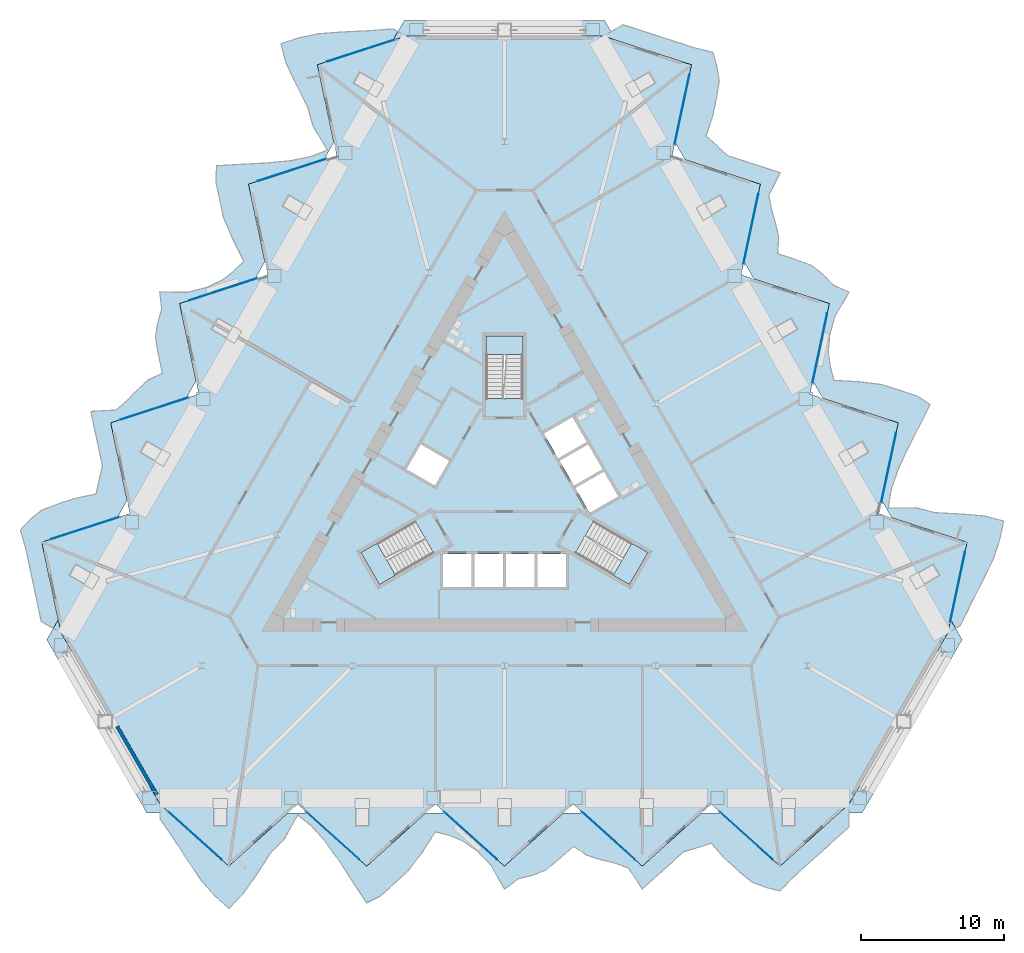
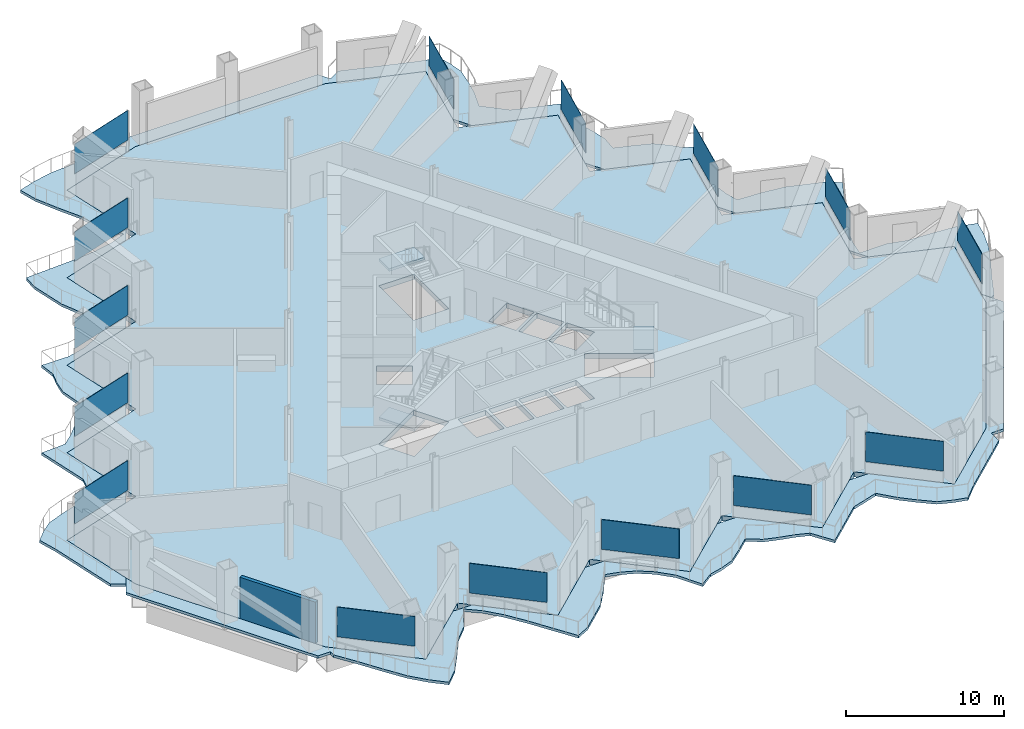
# One storey, part 8 of 22: 15 plates, 7 slabs, 1 wall, 18 elements without a shape of their own.
"""IFC4 building model written with IfcOpenShell, lengths in metres."""

from ifc_helpers import new_model, si_unit, direction, frame, frame_2d, origin, origin_2d, place, context, subcontext, project, spatial, polyline, rectangle, outline, extrude, material, layer, layer_set, type_object, element, aggregate, save


model = new_model("IFC4")

# Units and contexts
model_context = context("Model", 3, precision=1e-05, world=origin(), true_north=direction((0.0, 1.0)))
body_context = subcontext(model_context, "Body", "Model", "MODEL_VIEW")
ifc_project = project(units=[si_unit("LENGTHUNIT", "METRE"), si_unit("AREAUNIT", "SQUARE_METRE"), si_unit("VOLUMEUNIT", "CUBIC_METRE"), si_unit("PLANEANGLEUNIT", "RADIAN"), si_unit("MASSUNIT", "GRAM", prefix="KILO")], contexts=[model_context])

# Site, building, storey
site_placement = place(None, origin())
site = spatial("IfcSite", under=ifc_project, at=site_placement, CompositionType="ELEMENT")
building_placement = place(site_placement, origin())
building = spatial("IfcBuilding", under=site, at=building_placement, Name="Cormorant Prow Tower", CompositionType="ELEMENT")
storey_placement = place(building_placement, frame((0.0, 0.0, 30.0)))
storey = spatial("IfcBuildingStorey", under=building, at=storey_placement, Name="L05", CompositionType="ELEMENT", Elevation=30.0)

# Slabs
ifc_material_1 = material(Name="Concrete C40/50", Category="concrete")
ifc_layer_1 = layer(ifc_material_1, 0.199951171875)
ifc_layer_set_1 = layer_set([ifc_layer_1], Name="Concrete C40/50")
slab_type_1 = type_object("IfcSlabType", Name="Balcony slab 200", PredefinedType="FLOOR", material=ifc_layer_set_1)
slab_1_placement = place(storey_placement, frame((0.0, 0.0, -0.199951171875)))
element("IfcSlab", 1, at=slab_1_placement, inside=storey, type_object=slab_type_1, Name="Balcony slab S L05", PredefinedType="FLOOR", context=body_context, shape_type="SweptSolid", body=[
    extrude(outline(polyline([(-18.306640625, -25.35888671875), (-19.270263671875, -26.226318359375), (-21.197265625, -24.4912109375), (-21.678955078125, -24.0576171875), (-23.390380859375, -22.5166015625), (-24.087890625, -21.888671875), (-27.5439453125, -15.902587890625), (-31.0, -9.916259765625), (-31.195068359375, -8.998291015625), (-32.0, -10.392333984375), (-28.5, -16.45458984375), (-25.0, -22.5166015625), (-24.087890625, -22.5166015625), (-24.087890625, -22.90478515625), (-23.124267578125, -24.315185546875), (-22.16064453125, -25.812255859375), (-21.197265625, -27.236083984375), (-20.233642578125, -28.308837890625), (-19.270263671875, -29.17626953125), (-18.306640625, -28.2158203125), (-17.34326171875, -26.835205078125), (-16.379638671875, -25.341552734375), (-15.416259765625, -24.356201171875), (-14.45263671875, -22.640380859375), (-13.4892578125, -23.412841796875), (-12.525634765625, -24.50048828125), (-11.56201171875, -25.847900390625), (-10.5986328125, -27.3330078125), (-9.635009765625, -28.799560546875), (-8.671630859375, -28.308837890625), (-7.7080078125, -27.441162109375), (-6.74462890625, -26.57373046875), (-5.781005859375, -25.294921875), (-4.817626953125, -23.82275390625), (-3.85400390625, -24.076904296875), (-2.890625, -24.47802734375), (-1.927001953125, -25.144287109375), (-0.963623046875, -26.127197265625), (0.0, -27.826416015625), (0.963623046875, -27.11669921875), (1.927001953125, -26.87255859375), (2.890625, -26.50634765625), (3.85400390625, -25.706298828125), (4.817626953125, -24.838623046875), (5.781005859375, -25.470703125), (6.74462890625, -25.77294921875), (7.7080078125, -26.01171875), (8.671630859375, -26.346923828125), (9.635009765625, -27.826416015625), (10.5986328125, -26.958740234375), (12.525634765625, -25.2236328125), (13.4892578125, -24.93115234375), (14.45263671875, -24.623046875), (15.416259765625, -25.706298828125), (16.379638671875, -26.57373046875), (17.34326171875, -27.357177734375), (18.306640625, -27.715576171875), (19.270263671875, -27.9580078125), (20.233642578125, -26.958740234375), (21.197265625, -26.09130859375), (22.16064453125, -25.2236328125), (24.087890625, -23.488525390625), (24.087890625, -22.5166015625), (25.0, -22.5166015625), (28.5, -16.45458984375), (32.0, -10.392333984375), (31.195068359375, -8.998291015625), (31.0, -9.916259765625), (27.5439453125, -15.902587890625), (24.087890625, -21.888671875), (23.390380859375, -22.5166015625), (21.678955078125, -24.0576171875), (21.197265625, -24.4912109375), (19.270263671875, -26.226318359375), (18.306640625, -25.35888671875), (17.34326171875, -24.4912109375), (16.861328125, -24.0576171875), (15.150146484375, -22.5166015625), (13.755126953125, -22.5166015625), (9.635009765625, -26.226318359375), (7.7080078125, -24.4912109375), (7.226318359375, -24.0576171875), (5.51513671875, -22.5166015625), (4.1201171875, -22.5166015625), (2.40869140625, -24.0576171875), (1.927001953125, -24.4912109375), (0.0, -26.226318359375), (-1.927001953125, -24.4912109375), (-2.40869140625, -24.0576171875), (-4.1201171875, -22.5166015625), (-5.51513671875, -22.5166015625), (-7.226318359375, -24.0576171875), (-7.7080078125, -24.4912109375), (-9.635009765625, -26.226318359375), (-13.755126953125, -22.5166015625), (-15.150146484375, -22.5166015625), (-16.861328125, -24.0576171875), (-17.34326171875, -24.4912109375), (-18.306640625, -25.35888671875)])), origin(), (0.0, 0.0, 1.0), 0.199951171875),
])
slab_2_placement = place(storey_placement, frame((0.0, 0.0, -0.199951171875)))
element("IfcSlab", 2, at=slab_2_placement, inside=storey, type_object=slab_type_1, Name="Balcony slab ENE L05", PredefinedType="FLOOR", context=body_context, shape_type="SweptSolid", body=[
    extrude(outline(polyline([(7.804931640625, 31.514892578125), (8.145263671875, 31.404296875), (9.37841796875, 31.003662109375), (9.994873046875, 30.80322265625), (13.07763671875, 29.8017578125), (12.80810546875, 28.533447265625), (12.53857421875, 27.265380859375), (12.40380859375, 26.631103515625), (11.9248046875, 24.378662109375), (12.0, 24.248779296875), (12.622314453125, 23.170654296875), (12.962890625, 23.06005859375), (13.784912109375, 22.79296875), (14.8125, 22.458984375), (15.428955078125, 22.2587890625), (15.840087890625, 22.125244140625), (17.895263671875, 21.45751953125), (17.62548828125, 20.189208984375), (17.35595703125, 18.921142578125), (17.22119140625, 18.286865234375), (16.742431640625, 16.034423828125), (17.0, 15.58837890625), (17.43994140625, 14.826416015625), (17.780517578125, 14.7158203125), (18.6025390625, 14.44873046875), (19.630126953125, 14.11474609375), (20.24658203125, 13.91455078125), (20.657470703125, 13.781005859375), (22.712646484375, 13.11328125), (22.263427734375, 10.99951171875), (22.173583984375, 10.576904296875), (22.038818359375, 9.942626953125), (21.814208984375, 8.8857421875), (21.634521484375, 8.040283203125), (21.56005859375, 7.690185546875), (22.0, 6.92822265625), (22.257568359375, 6.482177734375), (22.597900390625, 6.37158203125), (23.8310546875, 5.970947265625), (24.447509765625, 5.7705078125), (27.5302734375, 4.76904296875), (27.0810546875, 2.6552734375), (26.9912109375, 2.232421875), (26.8564453125, 1.598388671875), (26.6318359375, 0.54150390625), (26.451904296875, -0.303955078125), (26.377685546875, -0.654052734375), (27.0, -1.73193359375), (27.0751953125, -1.862060546875), (27.41552734375, -1.97265625), (28.237548828125, -2.23974609375), (29.26513671875, -2.57373046875), (29.881591796875, -2.77392578125), (30.292724609375, -2.907470703125), (32.347900390625, -3.5751953125), (32.078369140625, -4.843505859375), (31.80859375, -6.11181640625), (31.673828125, -6.745849609375), (31.195068359375, -8.998291015625), (31.5439453125, -9.602294921875), (31.8798828125, -9.408203125), (32.61962890625, -7.86865234375), (33.434326171875, -6.28564453125), (34.185791015625, -4.7392578125), (34.633056640625, -3.368408203125), (34.902587890625, -2.100341796875), (33.589111328125, -1.74609375), (31.911376953125, -1.60205078125), (30.136474609375, -1.514404296875), (28.80126953125, -1.172607421875), (26.83349609375, -1.1962890625), (27.020751953125, 0.0244140625), (27.48095703125, 1.40283203125), (28.166015625, 2.910888671875), (28.970458984375, 4.48779296875), (29.758544921875, 6.055419921875), (28.85205078125, 6.64453125), (27.618896484375, 7.045166015625), (26.3857421875, 7.44580078125), (24.796630859375, 7.640869140625), (23.039794921875, 7.7392578125), (22.778076171875, 8.70068359375), (22.643798828125, 9.735595703125), (22.7392578125, 10.9033203125), (23.1083984375, 12.229248046875), (24.098388671875, 13.9130859375), (23.001953125, 14.392822265625), (22.308837890625, 15.105224609375), (21.509765625, 15.75634765625), (20.335205078125, 16.190673828125), (19.10205078125, 16.591552734375), (19.167724609375, 17.741943359375), (18.94775390625, 18.727294921875), (18.6728515625, 19.681396484375), (18.481201171875, 20.683349609375), (19.28076171875, 22.25732421875), (18.047607421875, 22.658203125), (16.814697265625, 23.058837890625), (15.58154296875, 23.45947265625), (14.846435546875, 24.1474609375), (14.097900390625, 24.827880859375), (14.55419921875, 26.203857421875), (14.82373046875, 27.47216796875), (15.0205078125, 28.6982421875), (14.84912109375, 29.7119140625), (14.577392578125, 30.66748046875), (13.230224609375, 31.00244140625), (11.9970703125, 31.403076171875), (10.763916015625, 31.8037109375), (9.531005859375, 32.204345703125), (8.2978515625, 32.60498046875), (7.4560546875, 32.118896484375), (7.0, 32.908935546875), (-7.0, 32.908935546875), (-7.804931640625, 31.514892578125), (-6.912109375, 31.804931640625), (6.912109375, 31.804931640625), (7.804931640625, 31.514892578125), (7.804931640625, 31.514892578125)])), origin(), (0.0, 0.0, 1.0), 0.199951171875),
])
slab_3_placement = place(storey_placement, frame((0.0, 0.0, -0.199951171875)))
element("IfcSlab", 3, at=slab_3_placement, inside=storey, type_object=slab_type_1, Name="Balcony slab WNW L05", PredefinedType="FLOOR", context=body_context, shape_type="SweptSolid", body=[
    extrude(outline(polyline([(-8.145263671875, 31.404296875), (-7.804931640625, 31.514892578125), (-7.4560546875, 32.118896484375), (-7.792236328125, 32.31298828125), (-9.49560546875, 32.183837890625), (-11.273681640625, 32.097900390625), (-12.988525390625, 31.975341796875), (-14.3994140625, 31.67724609375), (-15.63232421875, 31.276611328125), (-15.282470703125, 29.962158203125), (-14.568359375, 28.437255859375), (-13.756591796875, 26.85595703125), (-13.385009765625, 25.52880859375), (-12.380859375, 23.836669921875), (-13.531494140625, 23.388427734375), (-14.955322265625, 23.097900390625), (-16.60400390625, 22.93701171875), (-18.371826171875, 22.84521484375), (-20.12353515625, 22.743896484375), (-20.180419921875, 21.664306640625), (-19.910888671875, 20.39599609375), (-19.641357421875, 19.1279296875), (-19.015625, 17.654052734375), (-18.22216796875, 16.08349609375), (-18.924072265625, 15.376220703125), (-19.753173828125, 14.7421875), (-20.812255859375, 14.240966796875), (-22.14501953125, 13.89794921875), (-24.098388671875, 13.9130859375), (-23.965576171875, 12.723876953125), (-24.23583984375, 11.767333984375), (-24.400390625, 10.749755859375), (-24.189208984375, 9.515380859375), (-23.919677734375, 8.247314453125), (-24.948974609375, 7.728759765625), (-25.692138671875, 7.04541015625), (-26.380859375, 6.33056640625), (-27.15283203125, 5.66357421875), (-28.916015625, 5.56884765625), (-28.646240234375, 4.30078125), (-28.376708984375, 3.032470703125), (-28.107177734375, 1.764404296875), (-28.33544921875, 0.78369140625), (-28.550537109375, -0.204833984375), (-29.97021484375, -0.497802734375), (-31.203369140625, -0.8984375), (-32.36376953125, -1.341064453125), (-33.15576171875, -1.996337890625), (-33.847412109375, -2.70947265625), (-33.4638671875, -4.04345703125), (-33.1943359375, -5.311767578125), (-32.9248046875, -6.579833984375), (-32.6552734375, -7.84814453125), (-32.3857421875, -9.1162109375), (-31.5439453125, -9.602294921875), (-31.195068359375, -8.998291015625), (-31.673828125, -6.745849609375), (-31.80859375, -6.11181640625), (-32.078369140625, -4.843505859375), (-32.347900390625, -3.5751953125), (-30.292724609375, -2.907470703125), (-29.881591796875, -2.77392578125), (-29.26513671875, -2.57373046875), (-28.237548828125, -2.23974609375), (-27.41552734375, -1.97265625), (-27.0751953125, -1.862060546875), (-27.0, -1.73193359375), (-26.377685546875, -0.654052734375), (-26.451904296875, -0.303955078125), (-26.6318359375, 0.54150390625), (-26.8564453125, 1.598388671875), (-26.9912109375, 2.232421875), (-27.0810546875, 2.6552734375), (-27.5302734375, 4.76904296875), (-24.447509765625, 5.7705078125), (-23.8310546875, 5.970947265625), (-22.597900390625, 6.37158203125), (-22.257568359375, 6.482177734375), (-22.0, 6.92822265625), (-21.56005859375, 7.690185546875), (-21.634521484375, 8.040283203125), (-21.814208984375, 8.8857421875), (-22.038818359375, 9.942626953125), (-22.173583984375, 10.576904296875), (-22.263427734375, 10.99951171875), (-22.712646484375, 13.11328125), (-20.657470703125, 13.781005859375), (-20.24658203125, 13.91455078125), (-19.630126953125, 14.11474609375), (-18.6025390625, 14.44873046875), (-17.780517578125, 14.7158203125), (-17.43994140625, 14.826416015625), (-17.0, 15.58837890625), (-16.742431640625, 16.034423828125), (-17.22119140625, 18.286865234375), (-17.35595703125, 18.921142578125), (-17.62548828125, 20.189208984375), (-17.895263671875, 21.45751953125), (-15.840087890625, 22.125244140625), (-15.428955078125, 22.2587890625), (-14.8125, 22.458984375), (-13.784912109375, 22.79296875), (-12.962890625, 23.06005859375), (-12.622314453125, 23.170654296875), (-12.0, 24.248779296875), (-11.9248046875, 24.378662109375), (-12.40380859375, 26.631103515625), (-12.53857421875, 27.265380859375), (-12.80810546875, 28.533447265625), (-13.07763671875, 29.8017578125), (-9.994873046875, 30.80322265625), (-9.37841796875, 31.003662109375), (-8.145263671875, 31.404296875)])), origin(), (0.0, 0.0, 1.0), 0.199951171875),
])

# Curtain wall, plate
ifc_material_2 = material(Name="Aluminium 6063-T6", Category="aluminium")
ifc_layer_2 = layer(ifc_material_2, 0.199951171875)
ifc_layer_set_2 = layer_set([ifc_layer_2], Name="Aluminium 6063-T6")
curtain_wall_type = type_object("IfcCurtainWallType", Name="Office unitised curtain wall 200", PredefinedType="NOTDEFINED", material=ifc_layer_set_2)
curtain_wall_1_placement = place(storey_placement, origin())
curtain_wall_1 = element("IfcCurtainWall", 4, at=curtain_wall_1_placement, inside=storey, type_object=curtain_wall_type, Name="Office curtain wall S00", PredefinedType="NOTDEFINED")
ifc_material_3 = material(Name="Clear glass", Category="glass")
ifc_layer_3 = layer(ifc_material_3, 0.031982421875)
ifc_layer_set_3 = layer_set([ifc_layer_3], Name="Clear glass")
plate_type = type_object("IfcPlateType", Name="Office glass panel 32", PredefinedType="CURTAIN_PANEL", material=ifc_layer_set_3)
plate_1_placement = place(storey_placement, frame((-21.65673828125, -24.07763671875, 0.89990234375), z_axis=(0.0, 0.0, 1.0), x_axis=(0.743144833547, -0.669130597396, 0.0)))
plate_1 = element("IfcPlate", 5, at=plate_1_placement, type_object=plate_type, Name="Office glass panel S00", PredefinedType="CURTAIN_PANEL", context=body_context, shape_type="SweptSolid", body=[
    extrude(rectangle(XDim=5.0166015625, YDim=0.031982421875, at=origin_2d()), origin(), (0.0, 0.0, 1.0), 2.288818359375),
])
aggregate(curtain_wall_1, [plate_1])

curtain_wall_2_placement = place(storey_placement, origin())
curtain_wall_2 = element("IfcCurtainWall", 6, at=curtain_wall_2_placement, inside=storey, type_object=curtain_wall_type, Name="Office curtain wall S02", PredefinedType="NOTDEFINED")
plate_2_placement = place(storey_placement, frame((-12.021484375, -24.07763671875, 0.89990234375), z_axis=(0.0, 0.0, 1.0), x_axis=(0.743144902614, -0.66913052069, 0.0)))
plate_2 = element("IfcPlate", 7, at=plate_2_placement, type_object=plate_type, Name="Office glass panel S02", PredefinedType="CURTAIN_PANEL", context=body_context, shape_type="SweptSolid", body=[
    extrude(rectangle(XDim=5.0166015625, YDim=0.031982421875, at=origin_2d()), origin(), (0.0, 0.0, 1.0), 2.288818359375),
])
aggregate(curtain_wall_2, [plate_2])

curtain_wall_3_placement = place(storey_placement, origin())
curtain_wall_3 = element("IfcCurtainWall", 8, at=curtain_wall_3_placement, inside=storey, type_object=curtain_wall_type, Name="Office curtain wall S04", PredefinedType="NOTDEFINED")
plate_3_placement = place(storey_placement, frame((-2.386474609375, -24.07763671875, 0.89990234375), z_axis=(0.0, 0.0, 1.0), x_axis=(0.743144833547, -0.669130597396, 0.0)))
plate_3 = element("IfcPlate", 9, at=plate_3_placement, type_object=plate_type, Name="Office glass panel S04", PredefinedType="CURTAIN_PANEL", context=body_context, shape_type="SweptSolid", body=[
    extrude(rectangle(XDim=5.0166015625, YDim=0.031982421875, at=origin_2d()), origin(), (0.0, 0.0, 1.0), 2.288818359375),
])
aggregate(curtain_wall_3, [plate_3])

curtain_wall_4_placement = place(storey_placement, origin())
curtain_wall_4 = element("IfcCurtainWall", 10, at=curtain_wall_4_placement, inside=storey, type_object=curtain_wall_type, Name="Office curtain wall S06", PredefinedType="NOTDEFINED")
plate_4_placement = place(storey_placement, frame((7.24853515625, -24.07763671875, 0.89990234375), z_axis=(0.0, 0.0, 1.0), x_axis=(0.743144833547, -0.669130597396, 0.0)))
plate_4 = element("IfcPlate", 11, at=plate_4_placement, type_object=plate_type, Name="Office glass panel S06", PredefinedType="CURTAIN_PANEL", context=body_context, shape_type="SweptSolid", body=[
    extrude(rectangle(XDim=5.0166015625, YDim=0.031982421875, at=origin_2d()), origin(), (0.0, 0.0, 1.0), 2.288818359375),
])
aggregate(curtain_wall_4, [plate_4])

curtain_wall_5_placement = place(storey_placement, origin())
curtain_wall_5 = element("IfcCurtainWall", 12, at=curtain_wall_5_placement, inside=storey, type_object=curtain_wall_type, Name="Office curtain wall S08", PredefinedType="NOTDEFINED")
plate_5_placement = place(storey_placement, frame((16.8837890625, -24.07763671875, 0.89990234375), z_axis=(0.0, 0.0, 1.0), x_axis=(0.743144833547, -0.669130597396, 0.0)))
plate_5 = element("IfcPlate", 13, at=plate_5_placement, type_object=plate_type, Name="Office glass panel S08", PredefinedType="CURTAIN_PANEL", context=body_context, shape_type="SweptSolid", body=[
    extrude(rectangle(XDim=5.0166015625, YDim=0.031982421875, at=origin_2d()), origin(), (0.0, 0.0, 1.0), 2.288818359375),
])
aggregate(curtain_wall_5, [plate_5])

curtain_wall_6_placement = place(storey_placement, origin())
curtain_wall_6 = element("IfcCurtainWall", 14, at=curtain_wall_6_placement, inside=storey, type_object=curtain_wall_type, Name="Office curtain wall ENE00", PredefinedType="NOTDEFINED")
plate_6_placement = place(storey_placement, frame((31.68017578125, -6.716552734375, 0.89990234375), z_axis=(0.0, 0.0, 1.0), x_axis=(0.207911761683, 0.978147585671, 0.0)))
plate_6 = element("IfcPlate", 15, at=plate_6_placement, type_object=plate_type, Name="Office glass panel ENE00", PredefinedType="CURTAIN_PANEL", context=body_context, shape_type="SweptSolid", body=[
    extrude(rectangle(XDim=5.0166015625, YDim=0.031982421875, at=origin_2d()), origin(), (0.0, 0.0, 1.0), 2.288818359375),
])
aggregate(curtain_wall_6, [plate_6])

curtain_wall_7_placement = place(storey_placement, origin())
curtain_wall_7 = element("IfcCurtainWall", 16, at=curtain_wall_7_placement, inside=storey, type_object=curtain_wall_type, Name="Office curtain wall ENE02", PredefinedType="NOTDEFINED")
plate_7_placement = place(storey_placement, frame((26.862548828125, 1.627685546875, 0.89990234375), z_axis=(0.0, 0.0, 1.0), x_axis=(0.207911614097, 0.978147617041, 0.0)))
plate_7 = element("IfcPlate", 17, at=plate_7_placement, type_object=plate_type, Name="Office glass panel ENE02", PredefinedType="CURTAIN_PANEL", context=body_context, shape_type="SweptSolid", body=[
    extrude(rectangle(XDim=5.0166015625, YDim=0.031982421875, at=origin_2d()), origin(), (0.0, 0.0, 1.0), 2.288818359375),
])
aggregate(curtain_wall_7, [plate_7])

curtain_wall_8_placement = place(storey_placement, origin())
curtain_wall_8 = element("IfcCurtainWall", 18, at=curtain_wall_8_placement, inside=storey, type_object=curtain_wall_type, Name="Office curtain wall ENE04", PredefinedType="NOTDEFINED")
plate_8_placement = place(storey_placement, frame((22.044921875, 9.971923828125, 0.89990234375), z_axis=(0.0, 0.0, 1.0), x_axis=(0.207911614097, 0.978147617041, 0.0)))
plate_8 = element("IfcPlate", 19, at=plate_8_placement, type_object=plate_type, Name="Office glass panel ENE04", PredefinedType="CURTAIN_PANEL", context=body_context, shape_type="SweptSolid", body=[
    extrude(rectangle(XDim=5.0166015625, YDim=0.031982421875, at=origin_2d()), origin(), (0.0, 0.0, 1.0), 2.288818359375),
])
aggregate(curtain_wall_8, [plate_8])

curtain_wall_9_placement = place(storey_placement, origin())
curtain_wall_9 = element("IfcCurtainWall", 20, at=curtain_wall_9_placement, inside=storey, type_object=curtain_wall_type, Name="Office curtain wall ENE06", PredefinedType="NOTDEFINED")
plate_9_placement = place(storey_placement, frame((17.2275390625, 18.31640625, 0.89990234375), z_axis=(0.0, 0.0, 1.0), x_axis=(0.207911761683, 0.978147585671, 0.0)))
plate_9 = element("IfcPlate", 21, at=plate_9_placement, type_object=plate_type, Name="Office glass panel ENE06", PredefinedType="CURTAIN_PANEL", context=body_context, shape_type="SweptSolid", body=[
    extrude(rectangle(XDim=5.0166015625, YDim=0.031982421875, at=origin_2d()), origin(), (0.0, 0.0, 1.0), 2.288818359375),
])
aggregate(curtain_wall_9, [plate_9])

curtain_wall_10_placement = place(storey_placement, origin())
curtain_wall_10 = element("IfcCurtainWall", 22, at=curtain_wall_10_placement, inside=storey, type_object=curtain_wall_type, Name="Office curtain wall ENE08", PredefinedType="NOTDEFINED")
plate_10_placement = place(storey_placement, frame((12.409912109375, 26.66064453125, 0.89990234375), z_axis=(0.0, 0.0, 1.0), x_axis=(0.207911761683, 0.978147585671, 0.0)))
plate_10 = element("IfcPlate", 23, at=plate_10_placement, type_object=plate_type, Name="Office glass panel ENE08", PredefinedType="CURTAIN_PANEL", context=body_context, shape_type="SweptSolid", body=[
    extrude(rectangle(XDim=5.0166015625, YDim=0.031982421875, at=origin_2d()), origin(), (0.0, 0.0, 1.0), 2.288818359375),
])
aggregate(curtain_wall_10, [plate_10])

curtain_wall_11_placement = place(storey_placement, origin())
curtain_wall_11 = element("IfcCurtainWall", 24, at=curtain_wall_11_placement, inside=storey, type_object=curtain_wall_type, Name="Office curtain wall WNW00", PredefinedType="NOTDEFINED")
plate_11_placement = place(storey_placement, frame((-10.0234375, 30.7939453125, 0.89990234375), z_axis=(0.0, 0.0, 1.0), x_axis=(-0.951056551303, -0.30901688663, 0.0)))
plate_11 = element("IfcPlate", 25, at=plate_11_placement, type_object=plate_type, Name="Office glass panel WNW00", PredefinedType="CURTAIN_PANEL", context=body_context, shape_type="SweptSolid", body=[
    extrude(rectangle(XDim=5.0166015625, YDim=0.031982421875, at=origin_2d()), origin(), (0.0, 0.0, 1.0), 2.288818359375),
])
aggregate(curtain_wall_11, [plate_11])

curtain_wall_12_placement = place(storey_placement, origin())
curtain_wall_12 = element("IfcCurtainWall", 26, at=curtain_wall_12_placement, inside=storey, type_object=curtain_wall_type, Name="Office curtain wall WNW02", PredefinedType="NOTDEFINED")
plate_12_placement = place(storey_placement, frame((-14.841064453125, 22.44970703125, 0.89990234375), z_axis=(0.0, 0.0, 1.0), x_axis=(-0.951056505967, -0.309017026162, 0.0)))
plate_12 = element("IfcPlate", 27, at=plate_12_placement, type_object=plate_type, Name="Office glass panel WNW02", PredefinedType="CURTAIN_PANEL", context=body_context, shape_type="SweptSolid", body=[
    extrude(rectangle(XDim=5.0166015625, YDim=0.031982421875, at=origin_2d()), origin(), (0.0, 0.0, 1.0), 2.288818359375),
])
aggregate(curtain_wall_12, [plate_12])

curtain_wall_13_placement = place(storey_placement, origin())
curtain_wall_13 = element("IfcCurtainWall", 28, at=curtain_wall_13_placement, inside=storey, type_object=curtain_wall_type, Name="Office curtain wall WNW04", PredefinedType="NOTDEFINED")
plate_13_placement = place(storey_placement, frame((-19.658447265625, 14.10546875, 0.89990234375), z_axis=(0.0, 0.0, 1.0), x_axis=(-0.951056505967, -0.309017026162, 0.0)))
plate_13 = element("IfcPlate", 29, at=plate_13_placement, type_object=plate_type, Name="Office glass panel WNW04", PredefinedType="CURTAIN_PANEL", context=body_context, shape_type="SweptSolid", body=[
    extrude(rectangle(XDim=5.0166015625, YDim=0.031982421875, at=origin_2d()), origin(), (0.0, 0.0, 1.0), 2.288818359375),
])
aggregate(curtain_wall_13, [plate_13])

curtain_wall_14_placement = place(storey_placement, origin())
curtain_wall_14 = element("IfcCurtainWall", 30, at=curtain_wall_14_placement, inside=storey, type_object=curtain_wall_type, Name="Office curtain wall WNW06", PredefinedType="NOTDEFINED")
plate_14_placement = place(storey_placement, frame((-24.47607421875, 5.76123046875, 0.89990234375), z_axis=(0.0, 0.0, 1.0), x_axis=(-0.951056536569, -0.309016931979, 0.0)))
plate_14 = element("IfcPlate", 31, at=plate_14_placement, type_object=plate_type, Name="Office glass panel WNW06", PredefinedType="CURTAIN_PANEL", context=body_context, shape_type="SweptSolid", body=[
    extrude(rectangle(XDim=5.0166015625, YDim=0.031982421875, at=origin_2d()), origin(), (0.0, 0.0, 1.0), 2.288818359375),
])
aggregate(curtain_wall_14, [plate_14])

curtain_wall_15_placement = place(storey_placement, origin())
curtain_wall_15 = element("IfcCurtainWall", 32, at=curtain_wall_15_placement, inside=storey, type_object=curtain_wall_type, Name="Office curtain wall WNW08", PredefinedType="NOTDEFINED")
plate_15_placement = place(storey_placement, frame((-29.293701171875, -2.5830078125, 0.89990234375), z_axis=(0.0, 0.0, 1.0), x_axis=(-0.951056505967, -0.309017026162, 0.0)))
plate_15 = element("IfcPlate", 33, at=plate_15_placement, type_object=plate_type, Name="Office glass panel WNW08", PredefinedType="CURTAIN_PANEL", context=body_context, shape_type="SweptSolid", body=[
    extrude(rectangle(XDim=5.0166015625, YDim=0.031982421875, at=origin_2d()), origin(), (0.0, 0.0, 1.0), 2.288818359375),
])
aggregate(curtain_wall_15, [plate_15])

# Slab
ifc_material_4 = material(Name="Concrete C40/50", Category="concrete")
ifc_layer_4 = layer(ifc_material_4, 0.39990234375)
ifc_layer_set_4 = layer_set([ifc_layer_4], Name="Concrete C40/50")
slab_type_2 = type_object("IfcSlabType", Name="Post-tensioned flat slab 400", PredefinedType="FLOOR", material=ifc_layer_set_4)
slab_4_placement = place(storey_placement, frame((0.0, 0.0, -0.39990234375)))
element("IfcSlab", 34, at=slab_4_placement, inside=storey, type_object=slab_type_2, Name="Floor slab L05", PredefinedType="FLOOR", context=body_context, shape_type="SweptSolid", body=[
    extrude(outline(polyline([(-13.07763671875, 29.8017578125), (-11.729736328125, 23.460693359375), (-17.895263671875, 21.45751953125), (-16.54736328125, 15.116455078125), (-22.712646484375, 13.11328125), (-21.364990234375, 6.772216796875), (-27.5302734375, 4.76904296875), (-26.182373046875, -1.572021484375), (-32.347900390625, -3.5751953125), (-31.0, -9.916259765625), (-27.5439453125, -15.902587890625), (-24.087890625, -21.888671875), (-19.270263671875, -26.226318359375), (-14.45263671875, -21.888671875), (-9.635009765625, -26.226318359375), (-4.817626953125, -21.888671875), (0.0, -26.226318359375), (4.817626953125, -21.888671875), (9.635009765625, -26.226318359375), (14.45263671875, -21.888671875), (19.270263671875, -26.226318359375), (24.087890625, -21.888671875), (27.5439453125, -15.902587890625), (31.0, -9.916259765625), (32.347900390625, -3.5751953125), (26.182373046875, -1.572021484375), (27.5302734375, 4.76904296875), (21.364990234375, 6.772216796875), (22.712646484375, 13.11328125), (16.54736328125, 15.116455078125), (17.895263671875, 21.45751953125), (11.729736328125, 23.460693359375), (13.07763671875, 29.8017578125), (6.912109375, 31.804931640625), (-6.912109375, 31.804931640625), (-13.07763671875, 29.8017578125)]), holes=[polyline([(-4.300048828125, -6.699951171875), (-4.300048828125, -4.39990234375), (-2.300048828125, -4.39990234375), (-2.300048828125, -6.699951171875), (-4.300048828125, -6.699951171875)]), polyline([(-2.10009765625, -4.39990234375), (-0.10009765625, -4.39990234375), (-0.10009765625, -6.699951171875), (-2.10009765625, -6.699951171875), (-2.10009765625, -4.39990234375)]), polyline([(2.10009765625, -4.39990234375), (2.10009765625, -6.699951171875), (0.10009765625, -6.699951171875), (0.10009765625, -4.39990234375), (2.10009765625, -4.39990234375)]), polyline([(4.300048828125, -6.699951171875), (2.300048828125, -6.699951171875), (2.300048828125, -4.39990234375), (4.300048828125, -4.39990234375), (4.300048828125, -6.699951171875)]), polyline([(7.952392578125, -0.373779296875), (5.96044921875, -1.52392578125), (4.96044921875, 0.2080078125), (6.952392578125, 1.358154296875), (7.952392578125, -0.373779296875)]), polyline([(4.860595703125, 0.38134765625), (3.860595703125, 2.11328125), (5.852294921875, 3.263427734375), (6.852294921875, 1.53125), (4.860595703125, 0.38134765625)]), polyline([(2.760498046875, 4.018798828125), (4.75244140625, 5.168701171875), (5.75244140625, 3.4365234375), (3.760498046875, 2.28662109375), (2.760498046875, 4.018798828125)]), polyline([(-6.852294921875, 1.53125), (-5.852294921875, 3.263427734375), (-3.860595703125, 2.11328125), (-4.860595703125, 0.38134765625), (-6.852294921875, 1.53125)]), polyline([(-4.947509765625, -4.3505859375), (-8.738037109375, -6.5390625), (-10.031982421875, -4.2978515625), (-6.241455078125, -2.109375), (-4.947509765625, -4.3505859375)]), polyline([(10.031982421875, -4.2978515625), (8.738037109375, -6.5390625), (4.947509765625, -4.3505859375), (6.241455078125, -2.109375), (10.031982421875, -4.2978515625)]), polyline([(1.2939453125, 10.8369140625), (1.2939453125, 6.459716796875), (-1.2939453125, 6.459716796875), (-1.2939453125, 10.8369140625), (1.2939453125, 10.8369140625)])]), origin(), (0.0, 0.0, 1.0), 0.39990234375),
])

# Stair, slab
ifc_material_5 = material(Name="Exit stair 24 risers")
stair_type = type_object("IfcStairType", Name="Exit stair 24 risers", PredefinedType="HALF_TURN_STAIR", material=ifc_material_5)
stair_1_placement = place(storey_placement, origin())
stair_1 = element("IfcStair", 35, at=stair_1_placement, inside=storey, type_object=stair_type, Name="L05 Exit stair ST1", PredefinedType="HALF_TURN_STAIR")
ifc_material_6 = material(Name="Concrete 5000 psi", Category="concrete")
ifc_layer_5 = layer(ifc_material_6, 0.199951171875)
ifc_layer_set_5 = layer_set([ifc_layer_5], Name="Concrete 5000 psi")
slab_type_3 = type_object("IfcSlabType", Name="Stair landing 200", PredefinedType="LANDING", material=ifc_layer_set_5)
slab_5_placement = place(storey_placement, frame((0.0, 0.0, 1.89990234375)))
slab_5 = element("IfcSlab", 36, at=slab_5_placement, type_object=slab_type_3, Name="ST1 landing 1", PredefinedType="LANDING", context=body_context, shape_type="SweptSolid", body=[
    extrude(outline(polyline([(-8.90185546875, -3.645263671875), (-10.031982421875, -4.2978515625), (-8.738037109375, -6.5390625), (-7.60791015625, -5.886474609375), (-8.90185546875, -3.645263671875)])), origin(), (0.0, 0.0, 1.0), 0.2001953125),
])
aggregate(stair_1, [slab_5])

stair_2_placement = place(storey_placement, origin())
stair_2 = element("IfcStair", 37, at=stair_2_placement, inside=storey, type_object=stair_type, Name="L05 Exit stair ST2", PredefinedType="HALF_TURN_STAIR")
slab_6_placement = place(storey_placement, frame((0.0, 0.0, 1.89990234375)))
slab_6 = element("IfcSlab", 38, at=slab_6_placement, type_object=slab_type_3, Name="ST2 landing 1", PredefinedType="LANDING", context=body_context, shape_type="SweptSolid", body=[
    extrude(outline(polyline([(7.60791015625, -5.886474609375), (8.738037109375, -6.5390625), (10.031982421875, -4.2978515625), (8.90185546875, -3.645263671875), (7.60791015625, -5.886474609375)])), origin(), (0.0, 0.0, 1.0), 0.2001953125),
])
aggregate(stair_2, [slab_6])

stair_3_placement = place(storey_placement, origin())
stair_3 = element("IfcStair", 39, at=stair_3_placement, inside=storey, type_object=stair_type, Name="L05 Exit stair ST3", PredefinedType="HALF_TURN_STAIR")
slab_7_placement = place(storey_placement, frame((0.0, 0.0, 1.89990234375)))
slab_7 = element("IfcSlab", 40, at=slab_7_placement, type_object=slab_type_3, Name="ST3 landing 1", PredefinedType="LANDING", context=body_context, shape_type="SweptSolid", body=[
    extrude(outline(polyline([(1.2939453125, 9.53173828125), (1.2939453125, 10.8369140625), (-1.2939453125, 10.8369140625), (-1.2939453125, 9.53173828125), (1.2939453125, 9.53173828125)])), origin(), (0.0, 0.0, 1.0), 0.2001953125),
])
aggregate(stair_3, [slab_7])

# Wall
ifc_material_7 = material(Name="Terracotta", Category="masonry")
ifc_layer_6 = layer(ifc_material_7, 0.25)
ifc_layer_set_6 = layer_set([ifc_layer_6], Name="Terracotta")
wall_type = type_object("IfcWallType", Name="Terracotta bay wall 250", PredefinedType="SOLIDWALL", material=ifc_layer_set_6)
wall_placement = place(storey_placement, frame((-27.084228515625, -16.44873046875, 0.0), z_axis=(0.0, 0.0, 1.0), x_axis=(0.500006469283, -0.86602166871, 0.0)))
element("IfcWall", 41, at=wall_placement, inside=storey, type_object=wall_type, Name="Terracotta bay wall WSW01", PredefinedType="SOLIDWALL", context=body_context, shape_type="SweptSolid", body=[
    extrude(rectangle(XDim=5.50634765625, YDim=0.25, at=frame_2d((2.753173828125, 0.0))), origin(), (0.0, 0.0, 1.0), 3.18896484375),
])

save(model, "model.ifc")
